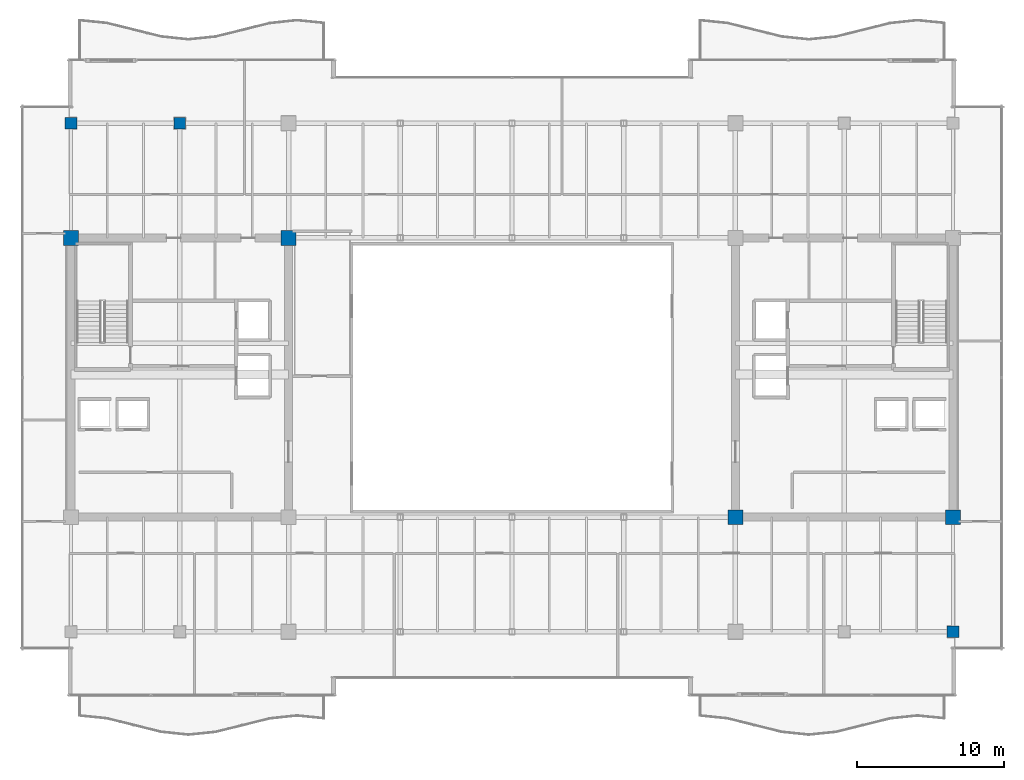
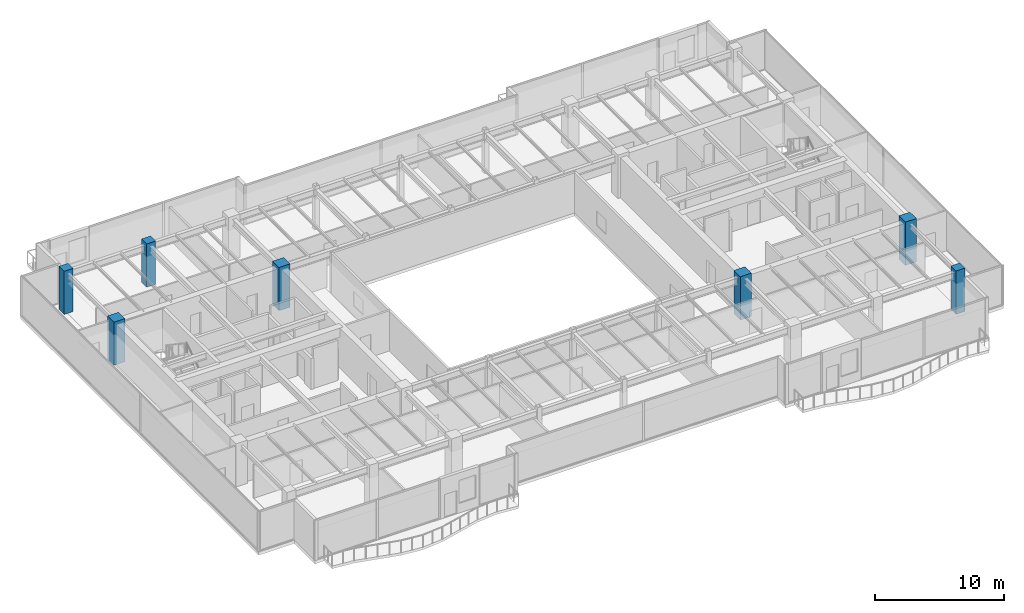
# One storey, part 2 of 35: 7 columns.
"""IFC4 building model written with IfcOpenShell, lengths in metres."""

from ifc_helpers import new_model, si_unit, direction, frame, origin, origin_2d, place, context, subcontext, project, spatial, rectangle, extrude, source, transform, mapped, material, material_profile, profile_set, type_object, type_shapes, element, save


model = new_model("IFC4")

# Units and contexts
model_context = context("Model", 3, precision=1e-05, world=origin(), true_north=direction((0.0, 1.0)))
body_context = subcontext(model_context, "Body", "Model", "MODEL_VIEW")
ifc_project = project(units=[si_unit("LENGTHUNIT", "METRE"), si_unit("AREAUNIT", "SQUARE_METRE"), si_unit("VOLUMEUNIT", "CUBIC_METRE"), si_unit("PLANEANGLEUNIT", "RADIAN"), si_unit("MASSUNIT", "GRAM", prefix="KILO")], contexts=[model_context])

# Site, building, storey
site_placement = place(None, origin())
site = spatial("IfcSite", under=ifc_project, at=site_placement, CompositionType="ELEMENT")
building_placement = place(site_placement, origin())
building = spatial("IfcBuilding", under=site, at=building_placement, Name="Haelvirn Gate Laboratories", CompositionType="ELEMENT")
storey_placement = place(building_placement, frame((0.0, 0.0, 283.39990234375)))
storey = spatial("IfcBuildingStorey", under=building, at=storey_placement, Name="L68", CompositionType="ELEMENT", Elevation=283.39990234375)

# Columns
ifc_material_1 = material(Name="Concrete C60/75", Category="concrete")
ifc_material_profile_1 = material_profile(ifc_material_1, rectangle(XDim=1.0, YDim=1.0, at=origin_2d()), Name="RC-1000x1000")
ifc_profile_set_1 = profile_set([ifc_material_profile_1], Name="Concrete C60/75")
column_type_1 = type_object("IfcColumnType", Name="COL-RC-1000", PredefinedType="COLUMN", material=ifc_profile_set_1)
shared_shape_1 = source(origin(), body_context, "Body", "SweptSolid", [
    extrude(rectangle(XDim=1.0, YDim=1.0, at=origin_2d()), origin(), (0.0, 0.0, 1.0), 4.10009765625),
])
type_shapes(column_type_1, [shared_shape_1])
for number, where, z_axis, x_axis, name in (
    (1, (7.39990234375, 33.800048828125, 0.0), (0.0, 0.0, 1.0), (1.0, 0.0, 0.0), "L68 Column 2F"),
    (2, (22.199951171875, 33.800048828125, 0.0), (0.0, 0.0, 1.0), (1.0, 0.0, 0.0), "L68 Column 4F"),
    (3, (52.60009765625, 14.800048828125, 0.0), (0.0, 0.0, 1.0), (1.0, 0.0, 0.0), "L68 Column 8C"),
    (4, (67.39990234375, 14.800048828125, 0.0), (0.0, 0.0, 1.0), (1.0, 0.0, 0.0), "L68 Column 10C"),
):
    element("IfcColumn", number, at=place(storey_placement, frame(where, z_axis=z_axis, x_axis=x_axis)), inside=storey, type_object=column_type_1, Name=name, PredefinedType="COLUMN", context=body_context, shape_type="MappedRepresentation", body=[
        mapped(shared_shape_1, transform((0.0, 0.0, 0.0), scale=1.0)),
    ])
ifc_material_2 = material(Name="Concrete C50/60", Category="concrete")
ifc_material_profile_2 = material_profile(ifc_material_2, rectangle(XDim=0.800048828125, YDim=0.800048828125, at=origin_2d()), Name="RC-800x800")
ifc_profile_set_2 = profile_set([ifc_material_profile_2], Name="Concrete C50/60")
column_type_2 = type_object("IfcColumnType", Name="COL-RC-800", PredefinedType="COLUMN", material=ifc_profile_set_2)
shared_shape_2 = source(origin(), body_context, "Body", "SweptSolid", [
    extrude(rectangle(XDim=0.800048828125, YDim=0.800048828125, at=origin_2d()), origin(), (0.0, 0.0, 1.0), 4.10009765625),
])
type_shapes(column_type_2, [shared_shape_2])
for number, where, z_axis, x_axis, name in (
    (5, (14.800048828125, 41.60009765625, 0.0), (0.0, 0.0, 1.0), (1.0, 0.0, 0.0), "L68 Column 3G"),
    (6, (7.39990234375, 41.60009765625, 0.0), (0.0, 0.0, 1.0), (1.0, 0.0, 0.0), "L68 Column 2G"),
    (7, (67.39990234375, 7.0, 0.0), (0.0, 0.0, 1.0), (1.0, 0.0, 0.0), "L68 Column 10B"),
):
    element("IfcColumn", number, at=place(storey_placement, frame(where, z_axis=z_axis, x_axis=x_axis)), inside=storey, type_object=column_type_2, Name=name, PredefinedType="COLUMN", context=body_context, shape_type="MappedRepresentation", body=[
        mapped(shared_shape_2, transform((0.0, 0.0, 0.0), scale=1.0)),
    ])

save(model, "model.ifc")
